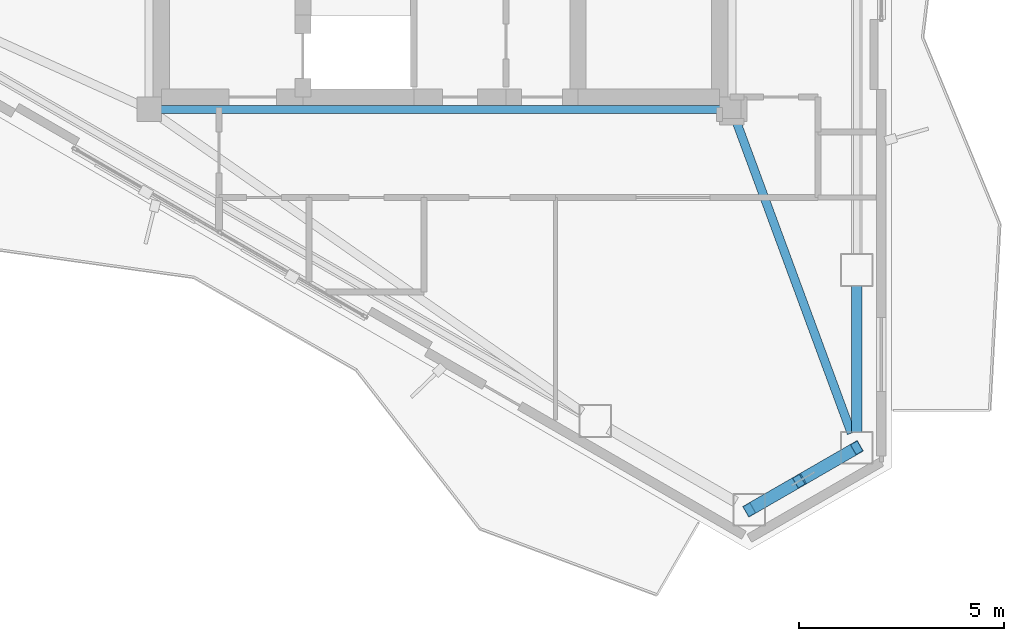
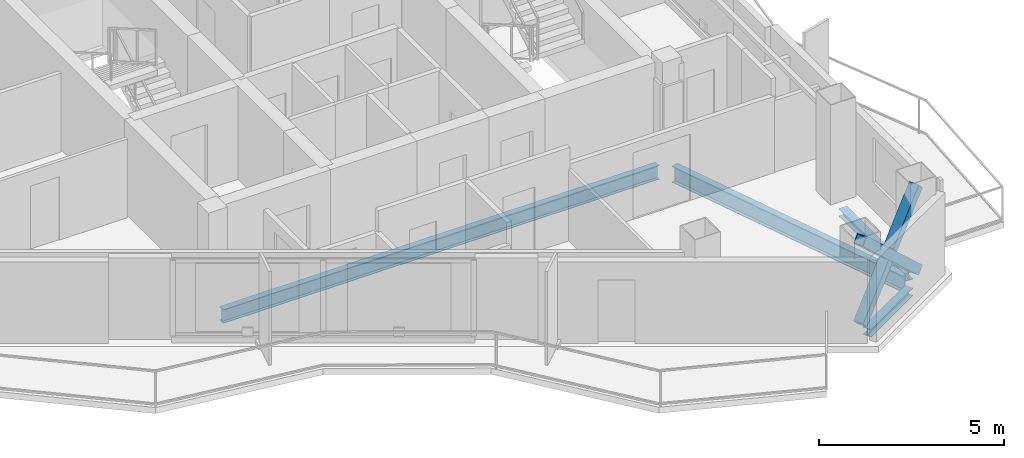
# One storey, part 6 of 18: 4 beams, 3 members.
"""IFC4 building model written with IfcOpenShell, lengths in metres."""

from ifc_helpers import new_model, si_unit, direction, frame, origin, origin_2d, place, context, subcontext, project, spatial, hollow_rectangle, i_section, extrude, material, material_profile, profile_set, type_object, element, save


model = new_model("IFC4")

# Units and contexts
model_context = context("Model", 3, precision=1e-05, world=origin(), true_north=direction((0.0, 1.0)))
body_context = subcontext(model_context, "Body", "Model", "MODEL_VIEW")
ifc_project = project(units=[si_unit("LENGTHUNIT", "METRE"), si_unit("AREAUNIT", "SQUARE_METRE"), si_unit("VOLUMEUNIT", "CUBIC_METRE"), si_unit("PLANEANGLEUNIT", "RADIAN"), si_unit("MASSUNIT", "GRAM", prefix="KILO")], contexts=[model_context])

# Site, building, storey
site_placement = place(None, origin())
site = spatial("IfcSite", under=ifc_project, at=site_placement, CompositionType="ELEMENT")
building_placement = place(site_placement, origin())
building = spatial("IfcBuilding", under=site, at=building_placement, Name="Mersakhor Tower and Convention Hall", CompositionType="ELEMENT")
storey_placement = place(building_placement, frame((0.0, 0.0, 239.699951171875)))
storey = spatial("IfcBuildingStorey", under=building, at=storey_placement, Name="L67", CompositionType="ELEMENT", Elevation=239.699951171875)

# Beams
ifc_material_1 = material(Name="Steel S355", Category="steel")
ifc_material_profile_1 = material_profile(ifc_material_1, i_section(OverallWidth=0.19140625, OverallDepth=0.4599609375, WebThickness=0.010009765625, FlangeThickness=0.01611328125, at=origin_2d()), Name="UB 457x191x82")
ifc_profile_set_1 = profile_set([ifc_material_profile_1], Name="Steel S355")
beam_type_1 = type_object("IfcBeamType", Name="BM-FB-457", PredefinedType="BEAM", material=ifc_profile_set_1)
beam_1_placement = place(storey_placement, frame((35.820068359375, 20.449951171875, -0.449951171875), z_axis=(-1.0, 0.0, 0.0), x_axis=(0.0, -1.0, 0.0)))
element("IfcBeam", 1, at=beam_1_placement, inside=storey, type_object=beam_type_1, Name="L67 Core Ring Tie Beam CRB-4", PredefinedType="BEAM", context=body_context, shape_type="SweptSolid", body=[
    extrude(i_section(OverallWidth=0.19140625, OverallDepth=0.4599609375, WebThickness=0.010009765625, FlangeThickness=0.01611328125, at=origin_2d()), origin(), (0.0, 0.0, 1.0), 13.64013671875),
])
ifc_material_2 = material(Name="Steel S355", Category="steel")
ifc_material_profile_2 = material_profile(ifc_material_2, i_section(OverallWidth=0.2099609375, OverallDepth=0.53662109375, WebThickness=0.0107421875, FlangeThickness=0.017333984375, at=origin_2d()), Name="UB 533x210x101")
ifc_profile_set_2 = profile_set([ifc_material_profile_2], Name="Steel S355")
beam_type_2 = type_object("IfcBeamType", Name="BM-FB-533", PredefinedType="BEAM", material=ifc_profile_set_2)
beam_2_placement = place(storey_placement, frame((36.197021484375, 20.187255859375, -0.48828125), z_axis=(0.346207764595, -0.938157867171, 0.0), x_axis=(0.938157867171, 0.346207764595, 0.0)))
element("IfcBeam", 2, at=beam_2_placement, inside=storey, type_object=beam_type_2, Name="L67 Primary Floor Girder FG-4", PredefinedType="BEAM", context=body_context, shape_type="SweptSolid", body=[
    extrude(i_section(OverallWidth=0.2099609375, OverallDepth=0.53662109375, WebThickness=0.0107421875, FlangeThickness=0.017333984375, at=origin_2d()), origin(), (0.0, 0.0, 1.0), 8.128662109375),
])
ifc_material_3 = material(Name="Steel S355", Category="steel")
ifc_material_profile_3 = material_profile(ifc_material_3, i_section(OverallWidth=0.25634765625, OverallDepth=0.26025390625, WebThickness=0.01025390625, FlangeThickness=0.017333984375, at=origin_2d()), Name="UC 254x254x89")
ifc_profile_set_3 = profile_set([ifc_material_profile_3], Name="Steel S355")
beam_type_3 = type_object("IfcBeamType", Name="BM-SPD-UC254", PredefinedType="SPANDREL", material=ifc_profile_set_3)
beam_3_placement = place(storey_placement, frame((39.142822265625, 16.1591796875, -0.35009765625), z_axis=(0.0, -1.0, 0.0), x_axis=(1.0, 0.0, 0.0)))
element("IfcBeam", 3, at=beam_3_placement, inside=storey, type_object=beam_type_3, Name="L67 Perimeter Spandrel Beam SPB-07", PredefinedType="SPANDREL", context=body_context, shape_type="SweptSolid", body=[
    extrude(i_section(OverallWidth=0.25634765625, OverallDepth=0.26025390625, WebThickness=0.01025390625, FlangeThickness=0.017333984375, at=origin_2d()), origin(), (0.0, 0.0, 1.0), 3.574462890625),
])
beam_4_placement = place(storey_placement, frame((38.813720703125, 12.0146484375, -0.35009765625), z_axis=(-0.866016678684, -0.500015112013, 0.0), x_axis=(0.500015112013, -0.866016678684, 0.0)))
element("IfcBeam", 4, at=beam_4_placement, inside=storey, type_object=beam_type_3, Name="L67 Perimeter Spandrel Beam SPB-08", PredefinedType="SPANDREL", context=body_context, shape_type="SweptSolid", body=[
    extrude(i_section(OverallWidth=0.25634765625, OverallDepth=0.26025390625, WebThickness=0.01025390625, FlangeThickness=0.017333984375, at=origin_2d()), origin(), (0.0, 0.0, 1.0), 2.2626953125),
])

# Members
ifc_material_4 = material(Name="Steel S355", Category="steel")
ifc_material_profile_4 = material_profile(ifc_material_4, hollow_rectangle(XDim=0.300048828125, YDim=0.300048828125, WallThickness=0.01611328125, at=origin_2d()), Name="SHS 300x300x16")
ifc_profile_set_4 = profile_set([ifc_material_profile_4], Name="Steel S355")
member_type = type_object("IfcMemberType", Name="MB-BRC-SHS300", PredefinedType="BRACE", material=ifc_profile_set_4)
member_1_placement = place(storey_placement, frame((39.142822265625, 12.20458984375, 0.150146484375), z_axis=(-0.637448673294, -0.368010379378, 0.676925069402), x_axis=(0.499978822259, -0.866037630414, 0.0)))
element("IfcMember", 5, at=member_1_placement, inside=storey, type_object=member_type, Name="L67 Chamfer Braced Frame Diagonal CB-2A", PredefinedType="BRACE", context=body_context, shape_type="SweptSolid", body=[
    extrude(hollow_rectangle(XDim=0.300048828125, YDim=0.300048828125, WallThickness=0.01611328125, at=origin_2d()), origin(), (0.0, 0.0, 1.0), 4.1064453125),
])
member_2_placement = place(storey_placement, frame((36.525146484375, 10.693359375, 0.150146484375), z_axis=(0.6374128848, 0.367990943802, 0.676969334291), x_axis=(-0.499980071345, 0.866036909293, 0.0)))
element("IfcMember", 6, at=member_2_placement, inside=storey, type_object=member_type, Name="L67 Chamfer Braced Frame Diagonal CB-2B Lower Half", PredefinedType="BRACE", context=body_context, shape_type="SweptSolid", body=[
    extrude(hollow_rectangle(XDim=0.300048828125, YDim=0.300048828125, WallThickness=0.01611328125, at=origin_2d()), origin(), (0.0, 0.0, 1.0), 1.894775390625),
])
member_3_placement = place(storey_placement, frame((37.93505859375, 11.50732421875, 1.6474609375), z_axis=(0.637468486011, 0.36802304347, 0.676899526383), x_axis=(-0.499980071345, 0.866036909293, 0.0)))
element("IfcMember", 7, at=member_3_placement, inside=storey, type_object=member_type, Name="L67 Chamfer Braced Frame Diagonal CB-2B Upper Half", PredefinedType="BRACE", context=body_context, shape_type="SweptSolid", body=[
    extrude(hollow_rectangle(XDim=0.300048828125, YDim=0.300048828125, WallThickness=0.01611328125, at=origin_2d()), origin(), (0.0, 0.0, 1.0), 1.89453125),
])

save(model, "model.ifc")
